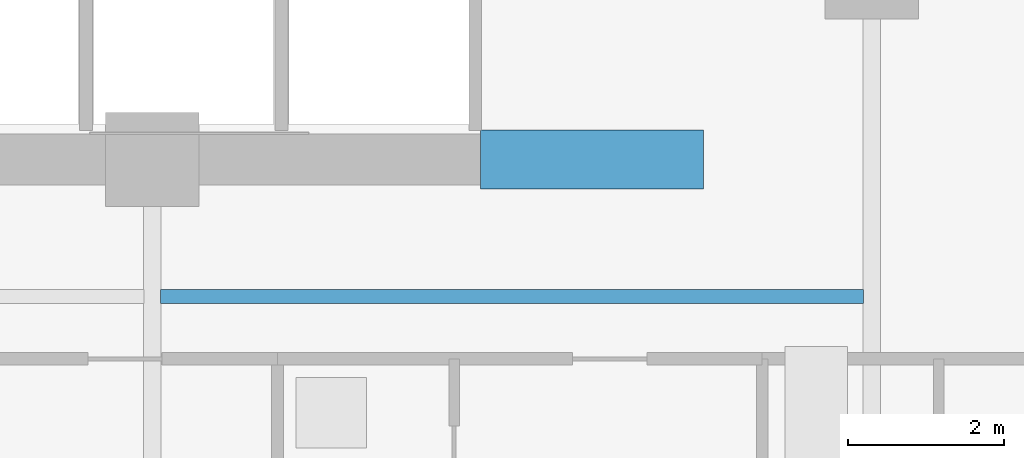
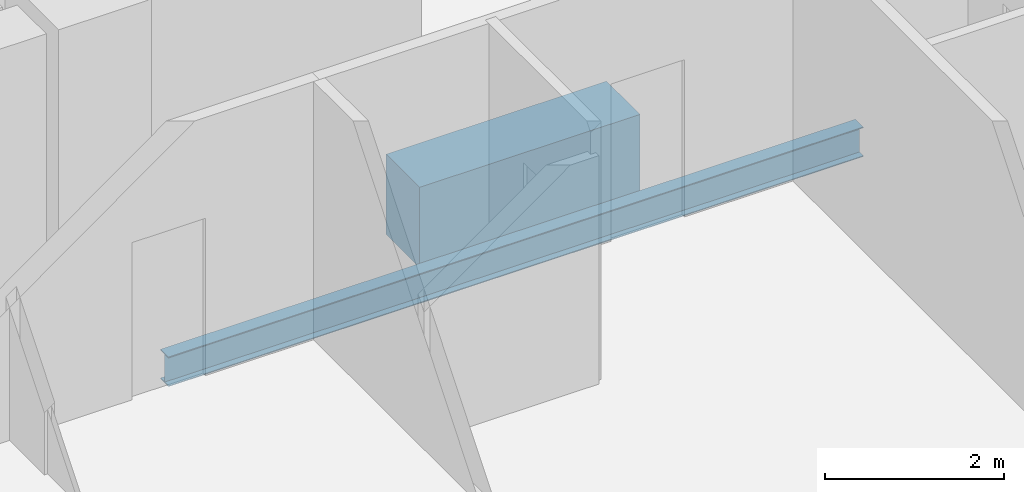
# One storey, part 11 of 32: 2 beams.
"""IFC4 building model written with IfcOpenShell, lengths in metres."""

from ifc_helpers import new_model, si_unit, direction, frame, origin, origin_2d, place, context, subcontext, project, spatial, rectangle, i_section, extrude, material, material_profile, profile_set, type_object, element, save


model = new_model("IFC4")

# Units and contexts
model_context = context("Model", 3, precision=1e-05, world=origin(), true_north=direction((0.0, 1.0)))
body_context = subcontext(model_context, "Body", "Model", "MODEL_VIEW")
ifc_project = project(units=[si_unit("LENGTHUNIT", "METRE"), si_unit("AREAUNIT", "SQUARE_METRE"), si_unit("VOLUMEUNIT", "CUBIC_METRE"), si_unit("PLANEANGLEUNIT", "RADIAN"), si_unit("MASSUNIT", "GRAM", prefix="KILO")], contexts=[model_context])

# Site, building, storey
site_placement = place(None, origin())
site = spatial("IfcSite", under=ifc_project, at=site_placement, CompositionType="ELEMENT")
building_placement = place(site_placement, origin())
building = spatial("IfcBuilding", under=site, at=building_placement, Name="Zuhayl Quay Hotel", CompositionType="ELEMENT")
storey_placement = place(building_placement, frame((0.0, 0.0, 188.64990234375)))
storey = spatial("IfcBuildingStorey", under=building, at=storey_placement, Name="L47", CompositionType="ELEMENT", Elevation=188.64990234375)

# Beams
ifc_material_1 = material(Name="Concrete C60/75", Category="concrete")
ifc_material_profile_1 = material_profile(ifc_material_1, rectangle(XDim=0.75, YDim=1.10009765625, at=origin_2d()), Name="RC750X1100")
ifc_profile_set_1 = profile_set([ifc_material_profile_1], Name="Concrete C60/75")
beam_type_1 = type_object("IfcBeamType", Name="BM_CB2_RC750", PredefinedType="T_BEAM", material=ifc_profile_set_1)
beam_1_placement = place(storey_placement, frame((8.800048828125, 2.14990234375, -0.77001953125), z_axis=(1.0, 0.0, 0.0), x_axis=(0.0, 1.0, 0.0)))
element("IfcBeam", 1, at=beam_1_placement, inside=storey, type_object=beam_type_1, Name="L47 Core Coupling Beam SE", PredefinedType="T_BEAM", context=body_context, shape_type="SweptSolid", body=[
    extrude(rectangle(XDim=0.75, YDim=1.10009765625, at=origin_2d()), origin(), (0.0, 0.0, 1.0), 2.849853515625),
])
ifc_material_2 = material(Name="Steel ASTM A992 Grade 50", Category="steel")
ifc_material_profile_2 = material_profile(ifc_material_2, i_section(OverallWidth=0.177978515625, OverallDepth=0.406005859375, WebThickness=0.0078125, FlangeThickness=0.0126953125, at=origin_2d()), Name="W16X40")
ifc_profile_set_2 = profile_set([ifc_material_profile_2], Name="Steel ASTM A992 Grade 50")
beam_type_2 = type_object("IfcBeamType", Name="BM_J2B_W16X40", PredefinedType="JOIST", material=ifc_profile_set_2)
beam_2_placement = place(storey_placement, frame((4.7060546875, 0.39990234375, -0.4228515625), z_axis=(1.0, 0.0, 0.0), x_axis=(0.0, 1.0, 0.0)))
element("IfcBeam", 2, at=beam_2_placement, inside=storey, type_object=beam_type_2, Name="L47 Floor Beam FJ_L47_8_3", PredefinedType="JOIST", context=body_context, shape_type="SweptSolid", body=[
    extrude(i_section(OverallWidth=0.177978515625, OverallDepth=0.406005859375, WebThickness=0.0078125, FlangeThickness=0.0126953125, at=origin_2d()), origin(), (0.0, 0.0, 1.0), 8.988037109375),
])

save(model, "model.ifc")
